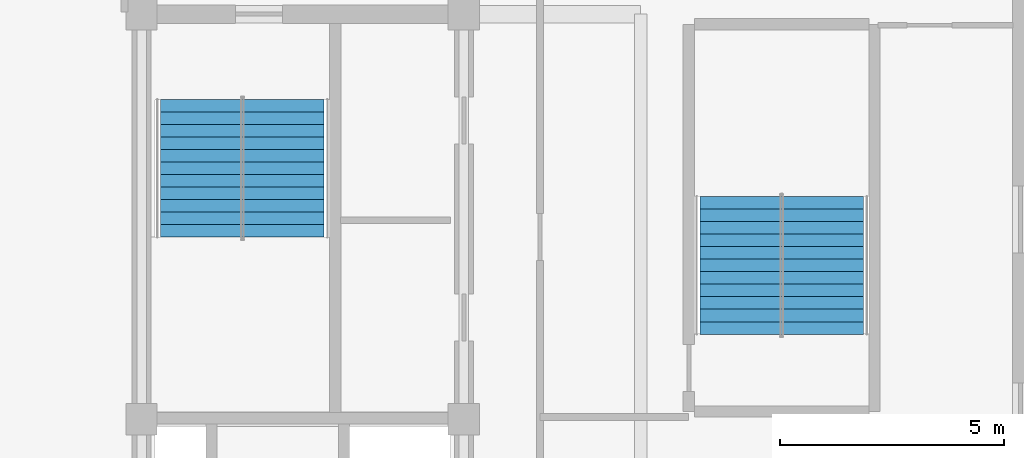
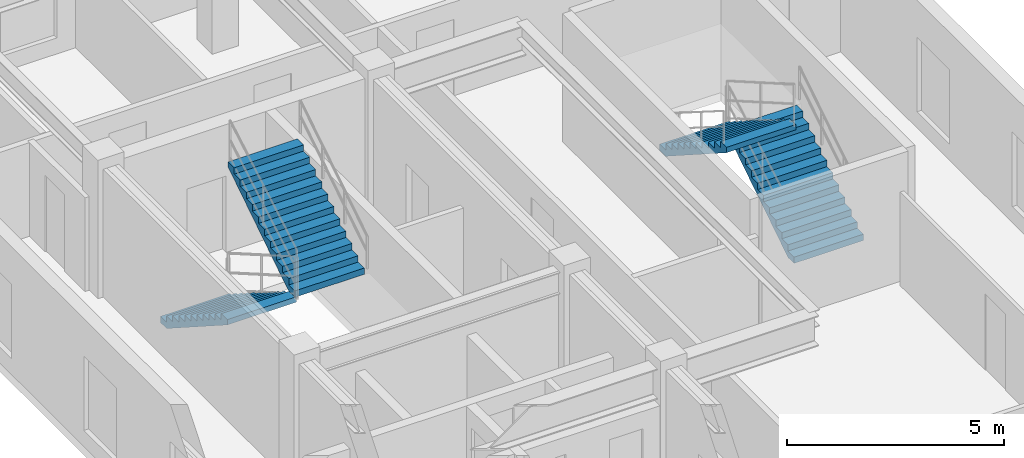
# One storey, part 5 of 6: 4 stair flights, 2 elements without a shape of their own.
"""IFC4 building model written with IfcOpenShell, lengths in metres."""

from ifc_helpers import new_model, entity, si_unit, converted_unit, direction, frame, origin_with_axes, place, context, subcontext, project, spatial, polyline, outline, extrude, material, type_object, element, aggregate, save


model = new_model("IFC4")

# Units and contexts
model_context = context("Model", 3, precision=1e-05, world=origin_with_axes(), true_north=direction((0.0, 1.0)))
body_context = subcontext(model_context, "Body", "Model", "MODEL_VIEW")
ifc_project = project(units=[si_unit("LENGTHUNIT", "METRE"), si_unit("AREAUNIT", "SQUARE_METRE"), si_unit("VOLUMEUNIT", "CUBIC_METRE"), converted_unit("PLANEANGLEUNIT", "DEGREE", entity("IfcPlaneAngleMeasure", 0.017453292519943295), si_unit("PLANEANGLEUNIT", "RADIAN"), dimensions=[0, 0, 0, 0, 0, 0, 0]), si_unit("MASSUNIT", "GRAM", prefix="KILO"), si_unit("THERMODYNAMICTEMPERATUREUNIT", "KELVIN")], contexts=[model_context])

# Site, building, storey
site_placement = place(None, origin_with_axes())
site = spatial("IfcSite", under=ifc_project, at=site_placement, CompositionType="ELEMENT")
building_placement = place(site_placement, origin_with_axes())
building = spatial("IfcBuilding", under=site, at=building_placement, Name="Varnlund Millrace Tower", CompositionType="ELEMENT")
storey_placement = place(building_placement, frame((0.0, 0.0, 299.7), z_axis=(0.0, 0.0, 1.0), x_axis=(1.0, 0.0, 0.0)))
storey = spatial("IfcBuildingStorey", under=building, at=storey_placement, Name="L74", CompositionType="ELEMENT", Elevation=299.7)

# Stair, stair flights
ifc_material_1 = material(Name="Concrete C50/60", Category="concrete")
stair_type = type_object("IfcStairType", Name="Type-Stair-Dogleg-185-390", PredefinedType="HALF_TURN_STAIR", material=ifc_material_1)
stair_1_placement = place(storey_placement, origin_with_axes())
stair_1 = element("IfcStair", 1, at=stair_1_placement, inside=storey, type_object=stair_type, Name="Type-Stair-Dogleg-185-390", PredefinedType="HALF_TURN_STAIR")
ifc_material_2 = material(Name="Precast concrete C50/60", Category="concrete")
stair_flight_type = type_object("IfcStairFlightType", Name="Type-Dogleg-Run-185-390", PredefinedType="STRAIGHT", material=ifc_material_2)
stair_flight_1_placement = place(storey_placement, frame((13.675, 35.9, 0.0), z_axis=(-1.0, 0.0, 0.0), x_axis=(0.0, -1.0, 0.0)))
stair_flight_1 = element("IfcStairFlight", 2, at=stair_flight_1_placement, type_object=stair_flight_type, Name="ST-A2 flight 1", NumberOfRisers=11, NumberOfTreads=11, PredefinedType="STRAIGHT", RiserHeight=0.177273, TreadLength=0.28, context=body_context, shape_type="SweptSolid", body=[
    extrude(outline(polyline([(0.0, 0.0), (0.0, 0.177273), (0.28, 0.177273), (0.28, 0.354545), (0.56, 0.354545), (0.56, 0.531818), (0.84, 0.531818), (0.84, 0.709091), (1.12, 0.709091), (1.12, 0.886364), (1.4, 0.886364), (1.4, 1.063636), (1.68, 1.063636), (1.68, 1.240909), (1.96, 1.240909), (1.96, 1.418182), (2.24, 1.418182), (2.24, 1.595454), (2.52, 1.595454), (2.52, 1.772727), (2.8, 1.772727), (2.8, 1.95), (3.08, 1.95), (3.08, 1.8), (0.28, 0.0), (0.0, 0.0)])), origin_with_axes(), (0.0, 0.0, 1.0), 1.85),
])
stair_flight_2_placement = place(storey_placement, frame((13.625, 32.82, 1.95), z_axis=(1.0, 0.0, 0.0), x_axis=(0.0, 1.0, 0.0)))
stair_flight_2 = element("IfcStairFlight", 3, at=stair_flight_2_placement, type_object=stair_flight_type, Name="ST-A2 flight 2", NumberOfRisers=11, NumberOfTreads=11, PredefinedType="STRAIGHT", RiserHeight=0.177273, TreadLength=0.28, context=body_context, shape_type="SweptSolid", body=[
    extrude(outline(polyline([(0.0, 0.0), (0.0, 0.177273), (0.28, 0.177273), (0.28, 0.354545), (0.56, 0.354545), (0.56, 0.531818), (0.84, 0.531818), (0.84, 0.709091), (1.12, 0.709091), (1.12, 0.886364), (1.4, 0.886364), (1.4, 1.063636), (1.68, 1.063636), (1.68, 1.240909), (1.96, 1.240909), (1.96, 1.418182), (2.24, 1.418182), (2.24, 1.595454), (2.52, 1.595454), (2.52, 1.772727), (2.8, 1.772727), (2.8, 1.95), (3.08, 1.95), (3.08, 1.8), (0.28, 0.0), (0.0, 0.0)])), origin_with_axes(), (0.0, 0.0, 1.0), 1.85),
])
aggregate(stair_1, [stair_flight_1, stair_flight_2])

stair_2_placement = place(storey_placement, origin_with_axes())
stair_2 = element("IfcStair", 4, at=stair_2_placement, inside=storey, type_object=stair_type, Name="Type-Stair-Dogleg-185-390", PredefinedType="HALF_TURN_STAIR")
stair_flight_3_placement = place(storey_placement, frame((25.675, 30.65, 0.0), z_axis=(1.0, 0.0, 0.0), x_axis=(0.0, 1.0, 0.0)))
stair_flight_3 = element("IfcStairFlight", 5, at=stair_flight_3_placement, type_object=stair_flight_type, Name="ST-A3 flight 1", NumberOfRisers=11, NumberOfTreads=11, PredefinedType="STRAIGHT", RiserHeight=0.177273, TreadLength=0.28, context=body_context, shape_type="SweptSolid", body=[
    extrude(outline(polyline([(0.0, 0.0), (0.0, 0.177273), (0.28, 0.177273), (0.28, 0.354545), (0.56, 0.354545), (0.56, 0.531818), (0.84, 0.531818), (0.84, 0.709091), (1.12, 0.709091), (1.12, 0.886364), (1.4, 0.886364), (1.4, 1.063636), (1.68, 1.063636), (1.68, 1.240909), (1.96, 1.240909), (1.96, 1.418182), (2.24, 1.418182), (2.24, 1.595454), (2.52, 1.595454), (2.52, 1.772727), (2.8, 1.772727), (2.8, 1.95), (3.08, 1.95), (3.08, 1.8), (0.28, 0.0), (0.0, 0.0)])), origin_with_axes(), (0.0, 0.0, 1.0), 1.85),
])
stair_flight_4_placement = place(storey_placement, frame((25.725, 33.73, 1.95), z_axis=(-1.0, 0.0, 0.0), x_axis=(0.0, -1.0, 0.0)))
stair_flight_4 = element("IfcStairFlight", 6, at=stair_flight_4_placement, type_object=stair_flight_type, Name="ST-A3 flight 2", NumberOfRisers=11, NumberOfTreads=11, PredefinedType="STRAIGHT", RiserHeight=0.177273, TreadLength=0.28, context=body_context, shape_type="SweptSolid", body=[
    extrude(outline(polyline([(0.0, 0.0), (0.0, 0.177273), (0.28, 0.177273), (0.28, 0.354545), (0.56, 0.354545), (0.56, 0.531818), (0.84, 0.531818), (0.84, 0.709091), (1.12, 0.709091), (1.12, 0.886364), (1.4, 0.886364), (1.4, 1.063636), (1.68, 1.063636), (1.68, 1.240909), (1.96, 1.240909), (1.96, 1.418182), (2.24, 1.418182), (2.24, 1.595454), (2.52, 1.595454), (2.52, 1.772727), (2.8, 1.772727), (2.8, 1.95), (3.08, 1.95), (3.08, 1.8), (0.28, 0.0), (0.0, 0.0)])), origin_with_axes(), (0.0, 0.0, 1.0), 1.85),
])
aggregate(stair_2, [stair_flight_3, stair_flight_4])

save(model, "model.ifc")
